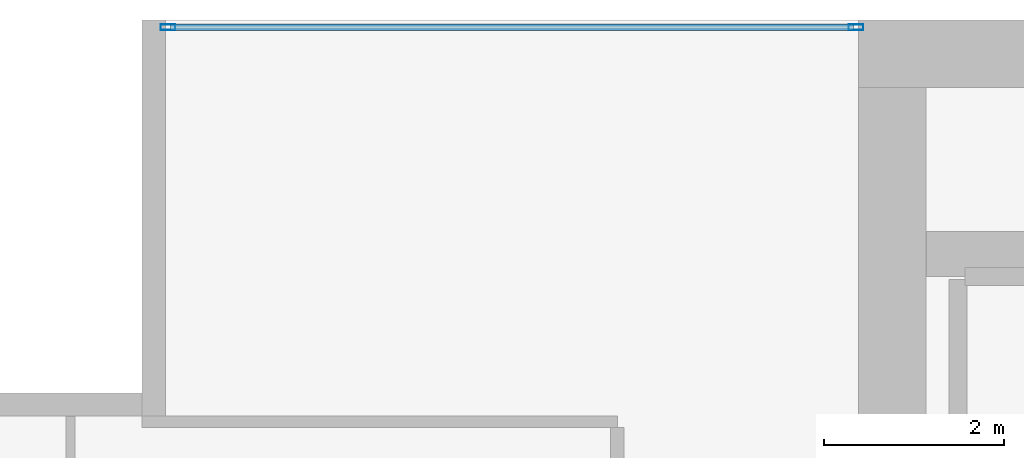
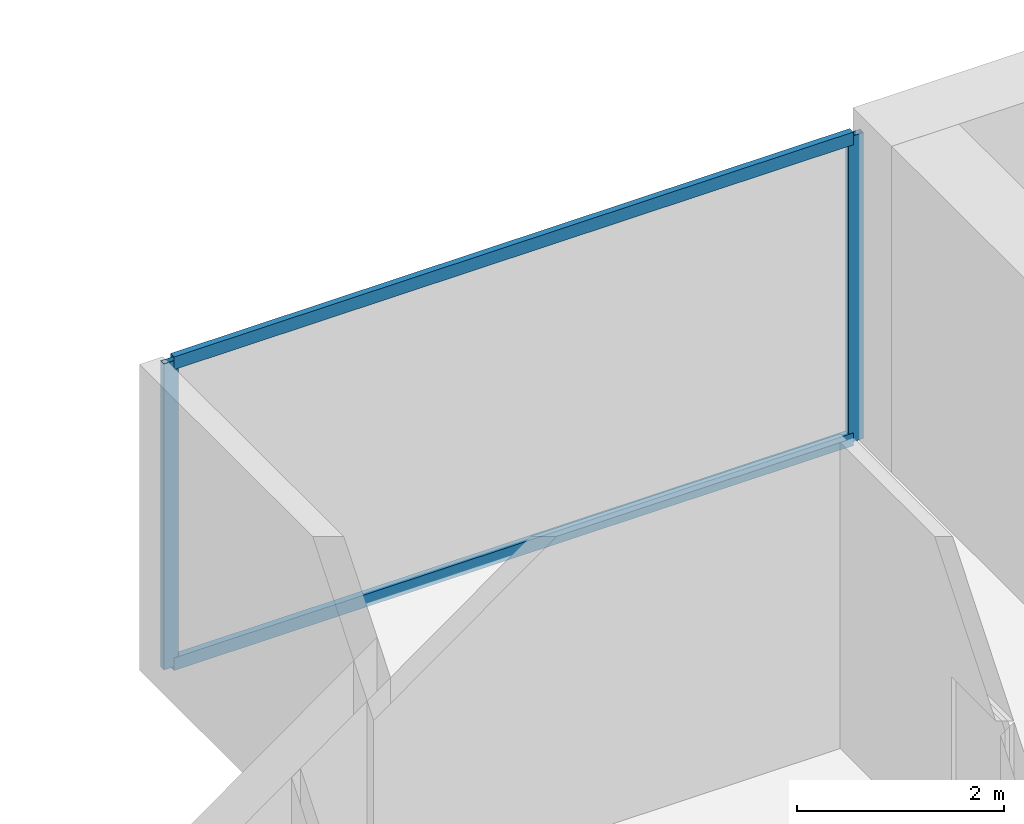
# One storey, part 22 of 33: 4 members, 1 element without a shape of its own.
"""IFC4 building model written with IfcOpenShell, lengths in metres."""

from ifc_helpers import new_model, si_unit, direction, frame, origin, origin_2d, place, context, subcontext, project, spatial, hollow_rectangle, extrude, material, layer, layer_set, material_profile, profile_set, type_object, element, aggregate, save


model = new_model("IFC4")

# Units and contexts
model_context = context("Model", 3, precision=1e-05, world=origin(), true_north=direction((0.0, 1.0)))
body_context = subcontext(model_context, "Body", "Model", "MODEL_VIEW")
ifc_project = project(units=[si_unit("LENGTHUNIT", "METRE"), si_unit("AREAUNIT", "SQUARE_METRE"), si_unit("VOLUMEUNIT", "CUBIC_METRE"), si_unit("PLANEANGLEUNIT", "RADIAN"), si_unit("MASSUNIT", "GRAM", prefix="KILO")], contexts=[model_context])

# Site, building, storey
site_placement = place(None, origin())
site = spatial("IfcSite", under=ifc_project, at=site_placement, CompositionType="ELEMENT")
building_placement = place(site_placement, origin())
building = spatial("IfcBuilding", under=site, at=building_placement, Name="Maruvema Waterfront Hotel and Observation Tower", CompositionType="ELEMENT")
storey_placement = place(building_placement, frame((0.0, 0.0, 138.949951171875)))
storey = spatial("IfcBuildingStorey", under=building, at=storey_placement, Name="L33", CompositionType="ELEMENT", Elevation=138.949951171875)

# Curtain wall, members
ifc_material_1 = material(Name="Anodised bronze aluminium and solar-control low-E IGU", Category="aluminium")
ifc_layer = layer(ifc_material_1, 0.159912109375, Name="Zone 2 Amber Inner Thermal Curtain Wall System CW-03")
ifc_layer_set = layer_set([ifc_layer], Name="Anodised bronze aluminium and solar-control low-E IGU")
curtain_wall_type = type_object("IfcCurtainWallType", Name="Zone 2 Amber Inner Thermal Curtain Wall System CW-03", PredefinedType="USERDEFINED", material=ifc_layer_set)
curtain_wall_placement = place(storey_placement, origin())
curtain_wall = element("IfcCurtainWall", 1, at=curtain_wall_placement, inside=storey, type_object=curtain_wall_type, Name="L33 Curtain Wall CW-L33-NW", ObjectType="UNITISED CURTAIN WALL", PredefinedType="USERDEFINED")
ifc_material_2 = material(Name="Anodised architectural bronze aluminium", Category="aluminium")
ifc_material_profile_1 = material_profile(ifc_material_2, hollow_rectangle(XDim=0.070068359375, YDim=0.14990234375, WallThickness=0.00390625, at=origin_2d()), Name="ALU-T70x150")
ifc_profile_set_1 = profile_set([ifc_material_profile_1], Name="Anodised architectural bronze aluminium")
member_type_1 = type_object("IfcMemberType", Name="Curtain Wall Horizontal Transom ALU-T70x150", PredefinedType="USERDEFINED", material=ifc_profile_set_1)
member_1_placement = place(storey_placement, frame((25.139892578125, 53.919921875, 0.030029296875), z_axis=(-1.0, 0.0, 0.0), x_axis=(0.0, -1.0, 0.0)))
member_1 = element("IfcMember", 2, at=member_1_placement, type_object=member_type_1, Name="CW-03 transom 1.1", ObjectType="TRANSOM", PredefinedType="USERDEFINED", context=body_context, shape_type="SweptSolid", body=[
    extrude(hollow_rectangle(XDim=0.070068359375, YDim=0.14990234375, WallThickness=0.00390625, at=origin_2d()), origin(), (0.0, 0.0, 1.0), 7.579833984375),
])
member_2_placement = place(storey_placement, frame((25.139892578125, 53.919921875, 3.580078125), z_axis=(-1.0, 0.0, 0.0), x_axis=(0.0, -1.0, 0.0)))
member_2 = element("IfcMember", 3, at=member_2_placement, type_object=member_type_1, Name="CW-03 transom 1.2", ObjectType="TRANSOM", PredefinedType="USERDEFINED", context=body_context, shape_type="SweptSolid", body=[
    extrude(hollow_rectangle(XDim=0.070068359375, YDim=0.14990234375, WallThickness=0.00390625, at=origin_2d()), origin(), (0.0, 0.0, 1.0), 7.579833984375),
])
ifc_material_3 = material(Name="Anodised architectural bronze aluminium", Category="aluminium")
ifc_material_profile_2 = material_profile(ifc_material_3, hollow_rectangle(XDim=0.06494140625, YDim=0.1650390625, WallThickness=0.00390625, at=origin_2d()), Name="ALU-M65x165")
ifc_profile_set_2 = profile_set([ifc_material_profile_2], Name="Anodised architectural bronze aluminium")
member_type_2 = type_object("IfcMemberType", Name="Curtain Wall Primary Mullion ALU-M65x165", PredefinedType="MULLION", material=ifc_profile_set_2)
member_3_placement = place(storey_placement, frame((25.169921875, 53.919921875, 0.0), z_axis=(0.0, 0.0, 1.0), x_axis=(0.0, -1.0, 0.0)))
member_3 = element("IfcMember", 4, at=member_3_placement, type_object=member_type_2, Name="CW-03 mullion 1", PredefinedType="MULLION", context=body_context, shape_type="SweptSolid", body=[
    extrude(hollow_rectangle(XDim=0.06494140625, YDim=0.1650390625, WallThickness=0.00390625, at=origin_2d()), origin(), (0.0, 0.0, 1.0), 3.610107421875),
])
member_4_placement = place(storey_placement, frame((17.530029296875, 53.919921875, 0.0), z_axis=(0.0, 0.0, 1.0), x_axis=(0.0, -1.0, 0.0)))
member_4 = element("IfcMember", 5, at=member_4_placement, type_object=member_type_2, Name="CW-03 mullion 2", PredefinedType="MULLION", context=body_context, shape_type="SweptSolid", body=[
    extrude(hollow_rectangle(XDim=0.06494140625, YDim=0.1650390625, WallThickness=0.00390625, at=origin_2d()), origin(), (0.0, 0.0, 1.0), 3.610107421875),
])
aggregate(curtain_wall, [member_3, member_4, member_1, member_2])

save(model, "model.ifc")
